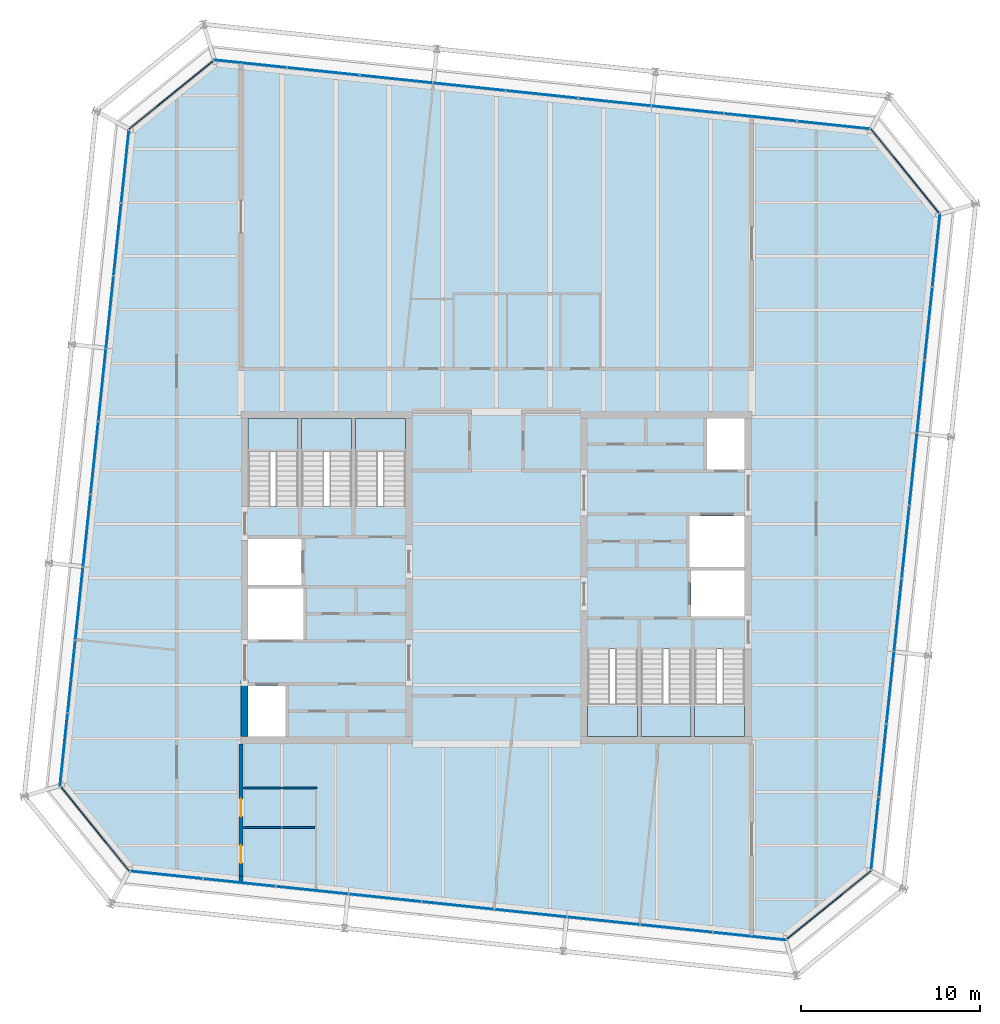
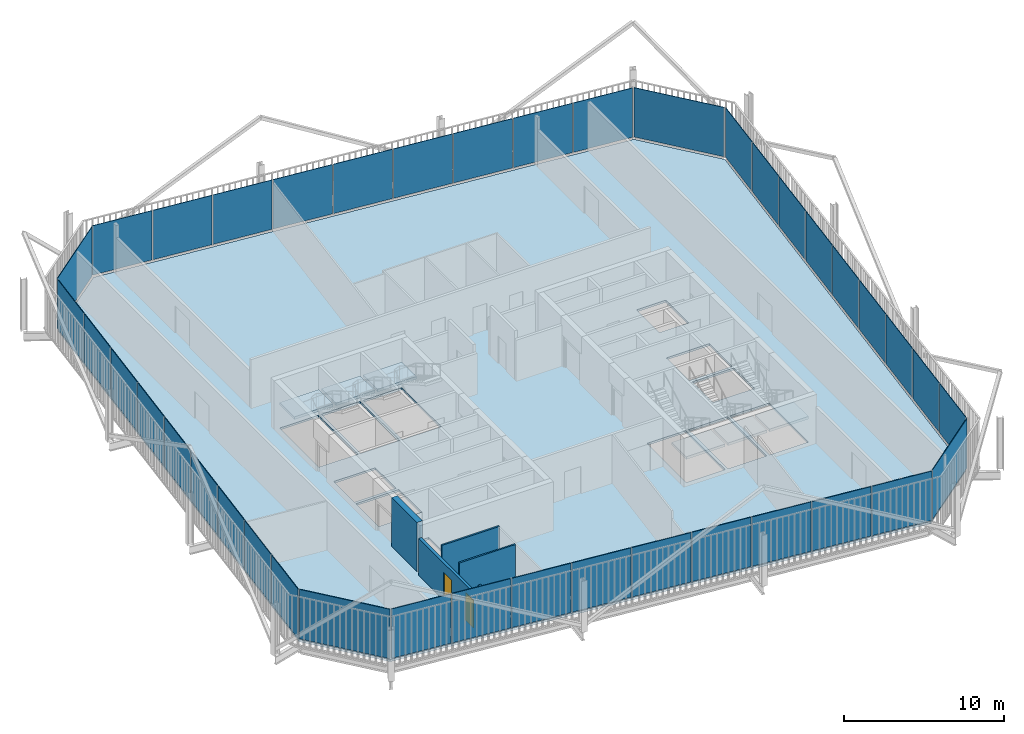
# One storey, part 16 of 21: 40 plates, 7 slabs, 5 walls, 2 doors, 2 openings, 14 elements without a shape of their own.
"""IFC4 building model written with IfcOpenShell, lengths in metres."""

from ifc_helpers import new_model, si_unit, direction, frame, frame_2d, origin, place, context, subcontext, project, spatial, polyline, rectangle, outline, extrude, material, layer, layer_set, type_object, element, fill, aggregate, save


model = new_model("IFC4")

# Units and contexts
model_context = context("Model", 3, precision=1e-05, world=origin(), true_north=direction((0.0, 1.0)))
body_context = subcontext(model_context, "Body", "Model", "MODEL_VIEW")
ifc_project = project(units=[si_unit("LENGTHUNIT", "METRE"), si_unit("AREAUNIT", "SQUARE_METRE"), si_unit("VOLUMEUNIT", "CUBIC_METRE"), si_unit("PLANEANGLEUNIT", "RADIAN"), si_unit("MASSUNIT", "GRAM", prefix="KILO")], contexts=[model_context])

# Site, building, storey
site_placement = place(None, origin())
site = spatial("IfcSite", under=ifc_project, at=site_placement, CompositionType="ELEMENT")
building_placement = place(site_placement, origin())
building = spatial("IfcBuilding", under=site, at=building_placement, Name="Millrace Tower", CompositionType="ELEMENT")
storey_placement = place(building_placement, frame((0.0, 0.0, 326.5)))
storey = spatial("IfcBuildingStorey", under=building, at=storey_placement, Name="L75", CompositionType="ELEMENT", Elevation=326.5)

# Curtain wall, plate
ifc_material_1 = material(Name="Aluminium and glass", Category="aluminium")
ifc_layer_1 = layer(ifc_material_1, 0.14990234375)
ifc_layer_set_1 = layer_set([ifc_layer_1], Name="Aluminium and glass")
curtain_wall_type = type_object("IfcCurtainWallType", Name="CW-1 office vision curtain wall", PredefinedType="NOTDEFINED", material=ifc_layer_set_1)
placement_1 = place(storey_placement, origin())
curtain_wall_1 = element("IfcCurtainWall", 1, at=placement_1, inside=storey, type_object=curtain_wall_type, Name="Curtain wall E-F01 L75", PredefinedType="NOTDEFINED")
ifc_material_2 = material(Name="Glass", Category="glass")
ifc_layer_2 = layer(ifc_material_2, 0.0439453125)
ifc_layer_set_2 = layer_set([ifc_layer_2], Name="Glass")
plate_type = type_object("IfcPlateType", Name="CW-1 office vision curtain wall triple-glazed vision panel", PredefinedType="CURTAIN_PANEL", material=ifc_layer_set_2)
placement_2 = place(storey_placement, frame((0.0, 0.0, 0.139892578125)))
plate_1 = element("IfcPlate", 2, at=placement_2, type_object=plate_type, Name="CW1 panel E-F01.1", PredefinedType="CURTAIN_PANEL", context=body_context, shape_type="SweptSolid", body=[
    extrude(outline(polyline([(-24.388427734375, -11.732421875), (-20.5771484375, -16.439208984375), (-20.554443359375, -16.397216796875), (-24.354248046875, -11.704833984375), (-24.388427734375, -11.732421875)])), origin(), (0.0, 0.0, 1.0), 3.760009765625),
])
aggregate(curtain_wall_1, [plate_1])

# Curtain wall, plates
curtain_wall_2 = element("IfcCurtainWall", 3, at=placement_1, inside=storey, type_object=curtain_wall_type, Name="Curtain wall E-F02 L75", PredefinedType="NOTDEFINED")
plate_2 = element("IfcPlate", 4, at=placement_2, type_object=plate_type, Name="CW1 panel E-F02.1", PredefinedType="CURTAIN_PANEL", context=body_context, shape_type="SweptSolid", body=[
    extrude(outline(polyline([(-20.472412109375, -16.4501953125), (-16.45947265625, -16.871826171875), (-16.454833984375, -16.828125), (-20.4677734375, -16.40625), (-20.472412109375, -16.4501953125)])), origin(), (0.0, 0.0, 1.0), 3.760009765625),
])
plate_3 = element("IfcPlate", 5, at=placement_2, type_object=plate_type, Name="CW1 panel E-F02.2", PredefinedType="CURTAIN_PANEL", context=body_context, shape_type="SweptSolid", body=[
    extrude(outline(polyline([(-16.39501953125, -16.878662109375), (-12.382080078125, -17.300537109375), (-12.37744140625, -17.256591796875), (-16.390380859375, -16.8349609375), (-16.39501953125, -16.878662109375)])), origin(), (0.0, 0.0, 1.0), 3.760009765625),
])
plate_4 = element("IfcPlate", 6, at=placement_2, type_object=plate_type, Name="CW1 panel E-F02.3", PredefinedType="CURTAIN_PANEL", context=body_context, shape_type="SweptSolid", body=[
    extrude(outline(polyline([(-12.3173828125, -17.30712890625), (-8.304443359375, -17.72900390625), (-8.2998046875, -17.685302734375), (-12.312744140625, -17.263427734375), (-12.3173828125, -17.30712890625)])), origin(), (0.0, 0.0, 1.0), 3.760009765625),
])
plate_5 = element("IfcPlate", 7, at=placement_2, type_object=plate_type, Name="CW1 panel E-F02.4", PredefinedType="CURTAIN_PANEL", context=body_context, shape_type="SweptSolid", body=[
    extrude(outline(polyline([(-8.23974609375, -17.73583984375), (-4.22705078125, -18.157470703125), (-4.222412109375, -18.11376953125), (-8.235107421875, -17.692138671875), (-8.23974609375, -17.73583984375)])), origin(), (0.0, 0.0, 1.0), 3.760009765625),
])
plate_6 = element("IfcPlate", 8, at=placement_2, type_object=plate_type, Name="CW1 panel E-F02.5", PredefinedType="CURTAIN_PANEL", context=body_context, shape_type="SweptSolid", body=[
    extrude(outline(polyline([(-4.162353515625, -18.164306640625), (-0.1494140625, -18.586181640625), (-0.144775390625, -18.54248046875), (-4.15771484375, -18.12060546875), (-4.162353515625, -18.164306640625)])), origin(), (0.0, 0.0, 1.0), 3.760009765625),
])
plate_7 = element("IfcPlate", 9, at=placement_2, type_object=plate_type, Name="CW1 panel E-F02.6", PredefinedType="CURTAIN_PANEL", context=body_context, shape_type="SweptSolid", body=[
    extrude(outline(polyline([(-0.084716796875, -18.593017578125), (3.92822265625, -19.0146484375), (3.932861328125, -18.970947265625), (-0.080078125, -18.549072265625), (-0.084716796875, -18.593017578125)])), origin(), (0.0, 0.0, 1.0), 3.760009765625),
])
plate_8 = element("IfcPlate", 10, at=placement_2, type_object=plate_type, Name="CW1 panel E-F02.7", PredefinedType="CURTAIN_PANEL", context=body_context, shape_type="SweptSolid", body=[
    extrude(outline(polyline([(3.99267578125, -19.021484375), (8.005615234375, -19.443359375), (8.01025390625, -19.3994140625), (3.997314453125, -18.977783203125), (3.99267578125, -19.021484375)])), origin(), (0.0, 0.0, 1.0), 3.760009765625),
])
plate_9 = element("IfcPlate", 11, at=placement_2, type_object=plate_type, Name="CW1 panel E-F02.8", PredefinedType="CURTAIN_PANEL", context=body_context, shape_type="SweptSolid", body=[
    extrude(outline(polyline([(8.0703125, -19.449951171875), (12.083251953125, -19.871826171875), (12.087890625, -19.828125), (8.074951171875, -19.40625), (8.0703125, -19.449951171875)])), origin(), (0.0, 0.0, 1.0), 3.760009765625),
])
plate_10 = element("IfcPlate", 12, at=placement_2, type_object=plate_type, Name="CW1 panel E-F02.9", PredefinedType="CURTAIN_PANEL", context=body_context, shape_type="SweptSolid", body=[
    extrude(outline(polyline([(12.14794921875, -19.878662109375), (16.20068359375, -20.3046875), (16.187255859375, -20.259033203125), (12.152587890625, -19.8349609375), (12.14794921875, -19.878662109375)])), origin(), (0.0, 0.0, 1.0), 3.760009765625),
])
aggregate(curtain_wall_2, [plate_2, plate_3, plate_4, plate_5, plate_6, plate_7, plate_8, plate_9, plate_10])

# Curtain wall, plate
curtain_wall_3 = element("IfcCurtainWall", 13, at=placement_1, inside=storey, type_object=curtain_wall_type, Name="Curtain wall E-F03 L75", PredefinedType="NOTDEFINED")
plate_11 = element("IfcPlate", 14, at=placement_2, type_object=plate_type, Name="CW1 panel E-F03.1", PredefinedType="CURTAIN_PANEL", context=body_context, shape_type="SweptSolid", body=[
    extrude(outline(polyline([(16.282470703125, -20.23828125), (20.989013671875, -16.427001953125), (20.947265625, -16.404296875), (16.2548828125, -20.2041015625), (16.282470703125, -20.23828125)])), origin(), (0.0, 0.0, 1.0), 3.760009765625),
])
aggregate(curtain_wall_3, [plate_11])

# Curtain wall, plates
curtain_wall_4 = element("IfcCurtainWall", 15, at=placement_1, inside=storey, type_object=curtain_wall_type, Name="Curtain wall E-F04 L75", PredefinedType="NOTDEFINED")
plate_12 = element("IfcPlate", 16, at=placement_2, type_object=plate_type, Name="CW1 panel E-F04.1", PredefinedType="CURTAIN_PANEL", context=body_context, shape_type="SweptSolid", body=[
    extrude(outline(polyline([(21.0, -16.322509765625), (21.421875, -12.3095703125), (21.378173828125, -12.304931640625), (20.956298828125, -16.31787109375), (21.0, -16.322509765625)])), origin(), (0.0, 0.0, 1.0), 3.760009765625),
])
plate_13 = element("IfcPlate", 17, at=placement_2, type_object=plate_type, Name="CW1 panel E-F04.2", PredefinedType="CURTAIN_PANEL", context=body_context, shape_type="SweptSolid", body=[
    extrude(outline(polyline([(21.4287109375, -12.244873046875), (21.850341796875, -8.23193359375), (21.806640625, -8.227294921875), (21.385009765625, -12.240234375), (21.4287109375, -12.244873046875)])), origin(), (0.0, 0.0, 1.0), 3.760009765625),
])
plate_14 = element("IfcPlate", 18, at=placement_2, type_object=plate_type, Name="CW1 panel E-F04.3", PredefinedType="CURTAIN_PANEL", context=body_context, shape_type="SweptSolid", body=[
    extrude(outline(polyline([(21.857177734375, -8.16748046875), (22.279052734375, -4.154541015625), (22.2353515625, -4.14990234375), (21.8134765625, -8.162841796875), (21.857177734375, -8.16748046875)])), origin(), (0.0, 0.0, 1.0), 3.760009765625),
])
plate_15 = element("IfcPlate", 19, at=placement_2, type_object=plate_type, Name="CW1 panel E-F04.4", PredefinedType="CURTAIN_PANEL", context=body_context, shape_type="SweptSolid", body=[
    extrude(outline(polyline([(22.285888671875, -4.08984375), (22.70751953125, -0.076904296875), (22.663818359375, -0.072265625), (22.241943359375, -4.085205078125), (22.285888671875, -4.08984375)])), origin(), (0.0, 0.0, 1.0), 3.760009765625),
])
plate_16 = element("IfcPlate", 20, at=placement_2, type_object=plate_type, Name="CW1 panel E-F04.5", PredefinedType="CURTAIN_PANEL", context=body_context, shape_type="SweptSolid", body=[
    extrude(outline(polyline([(22.71435546875, -0.01220703125), (23.13623046875, 4.00048828125), (23.09228515625, 4.005126953125), (22.670654296875, -0.007568359375), (22.71435546875, -0.01220703125)])), origin(), (0.0, 0.0, 1.0), 3.760009765625),
])
plate_17 = element("IfcPlate", 21, at=placement_2, type_object=plate_type, Name="CW1 panel E-F04.6", PredefinedType="CURTAIN_PANEL", context=body_context, shape_type="SweptSolid", body=[
    extrude(outline(polyline([(23.142822265625, 4.065185546875), (23.564697265625, 8.078125), (23.52099609375, 8.082763671875), (23.09912109375, 4.06982421875), (23.142822265625, 4.065185546875)])), origin(), (0.0, 0.0, 1.0), 3.760009765625),
])
plate_18 = element("IfcPlate", 22, at=placement_2, type_object=plate_type, Name="CW1 panel E-F04.7", PredefinedType="CURTAIN_PANEL", context=body_context, shape_type="SweptSolid", body=[
    extrude(outline(polyline([(23.571533203125, 8.142822265625), (23.9931640625, 12.15576171875), (23.949462890625, 12.160400390625), (23.52783203125, 8.1474609375), (23.571533203125, 8.142822265625)])), origin(), (0.0, 0.0, 1.0), 3.760009765625),
])
plate_19 = element("IfcPlate", 23, at=placement_2, type_object=plate_type, Name="CW1 panel E-F04.8", PredefinedType="CURTAIN_PANEL", context=body_context, shape_type="SweptSolid", body=[
    extrude(outline(polyline([(24.0, 12.22021484375), (24.421875, 16.233154296875), (24.378173828125, 16.23779296875), (23.956298828125, 12.224853515625), (24.0, 12.22021484375)])), origin(), (0.0, 0.0, 1.0), 3.760009765625),
])
plate_20 = element("IfcPlate", 24, at=placement_2, type_object=plate_type, Name="CW1 panel E-F04.9", PredefinedType="CURTAIN_PANEL", context=body_context, shape_type="SweptSolid", body=[
    extrude(outline(polyline([(24.4287109375, 16.2978515625), (24.8544921875, 20.350830078125), (24.808837890625, 20.337158203125), (24.384765625, 16.302490234375), (24.4287109375, 16.2978515625)])), origin(), (0.0, 0.0, 1.0), 3.760009765625),
])
aggregate(curtain_wall_4, [plate_12, plate_13, plate_14, plate_15, plate_16, plate_17, plate_18, plate_19, plate_20])

# Curtain wall, plate
curtain_wall_5 = element("IfcCurtainWall", 25, at=placement_1, inside=storey, type_object=curtain_wall_type, Name="Curtain wall E-F05 L75", PredefinedType="NOTDEFINED")
plate_21 = element("IfcPlate", 26, at=placement_2, type_object=plate_type, Name="CW1 panel E-F05.1", PredefinedType="CURTAIN_PANEL", context=body_context, shape_type="SweptSolid", body=[
    extrude(outline(polyline([(24.788330078125, 20.432373046875), (20.97705078125, 25.13916015625), (20.954345703125, 25.09716796875), (24.754150390625, 20.40478515625), (24.788330078125, 20.432373046875)])), origin(), (0.0, 0.0, 1.0), 3.760009765625),
])
aggregate(curtain_wall_5, [plate_21])

# Curtain wall, plates
curtain_wall_6 = element("IfcCurtainWall", 27, at=placement_1, inside=storey, type_object=curtain_wall_type, Name="Curtain wall E-F06 L75", PredefinedType="NOTDEFINED")
plate_22 = element("IfcPlate", 28, at=placement_2, type_object=plate_type, Name="CW1 panel E-F06.1", PredefinedType="CURTAIN_PANEL", context=body_context, shape_type="SweptSolid", body=[
    extrude(outline(polyline([(20.87255859375, 25.150146484375), (16.859619140625, 25.57177734375), (16.85498046875, 25.528076171875), (20.867919921875, 25.1064453125), (20.87255859375, 25.150146484375)])), origin(), (0.0, 0.0, 1.0), 3.760009765625),
])
plate_23 = element("IfcPlate", 29, at=placement_2, type_object=plate_type, Name="CW1 panel E-F06.2", PredefinedType="CURTAIN_PANEL", context=body_context, shape_type="SweptSolid", body=[
    extrude(outline(polyline([(16.794921875, 25.57861328125), (12.781982421875, 26.00048828125), (12.77734375, 25.956787109375), (16.790283203125, 25.534912109375), (16.794921875, 25.57861328125)])), origin(), (0.0, 0.0, 1.0), 3.760009765625),
])
plate_24 = element("IfcPlate", 30, at=placement_2, type_object=plate_type, Name="CW1 panel E-F06.3", PredefinedType="CURTAIN_PANEL", context=body_context, shape_type="SweptSolid", body=[
    extrude(outline(polyline([(12.71728515625, 26.00732421875), (8.70458984375, 26.428955078125), (8.699951171875, 26.38525390625), (12.712646484375, 25.96337890625), (12.71728515625, 26.00732421875)])), origin(), (0.0, 0.0, 1.0), 3.760009765625),
])
plate_25 = element("IfcPlate", 31, at=placement_2, type_object=plate_type, Name="CW1 panel E-F06.4", PredefinedType="CURTAIN_PANEL", context=body_context, shape_type="SweptSolid", body=[
    extrude(outline(polyline([(8.639892578125, 26.435791015625), (4.626953125, 26.857666015625), (4.622314453125, 26.813720703125), (8.63525390625, 26.39208984375), (8.639892578125, 26.435791015625)])), origin(), (0.0, 0.0, 1.0), 3.760009765625),
])
plate_26 = element("IfcPlate", 32, at=placement_2, type_object=plate_type, Name="CW1 panel E-F06.5", PredefinedType="CURTAIN_PANEL", context=body_context, shape_type="SweptSolid", body=[
    extrude(outline(polyline([(4.562255859375, 26.8642578125), (0.54931640625, 27.2861328125), (0.544677734375, 27.242431640625), (4.5576171875, 26.820556640625), (4.562255859375, 26.8642578125)])), origin(), (0.0, 0.0, 1.0), 3.760009765625),
])
plate_27 = element("IfcPlate", 33, at=placement_2, type_object=plate_type, Name="CW1 panel E-F06.6", PredefinedType="CURTAIN_PANEL", context=body_context, shape_type="SweptSolid", body=[
    extrude(outline(polyline([(0.48486328125, 27.29296875), (-3.528076171875, 27.714599609375), (-3.53271484375, 27.6708984375), (0.480224609375, 27.249267578125), (0.48486328125, 27.29296875)])), origin(), (0.0, 0.0, 1.0), 3.760009765625),
])
plate_28 = element("IfcPlate", 34, at=placement_2, type_object=plate_type, Name="CW1 panel E-F06.7", PredefinedType="CURTAIN_PANEL", context=body_context, shape_type="SweptSolid", body=[
    extrude(outline(polyline([(-3.5927734375, 27.721435546875), (-7.605712890625, 28.143310546875), (-7.6103515625, 28.099609375), (-3.597412109375, 27.677734375), (-3.5927734375, 27.721435546875)])), origin(), (0.0, 0.0, 1.0), 3.760009765625),
])
plate_29 = element("IfcPlate", 35, at=placement_2, type_object=plate_type, Name="CW1 panel E-F06.8", PredefinedType="CURTAIN_PANEL", context=body_context, shape_type="SweptSolid", body=[
    extrude(outline(polyline([(-7.67041015625, 28.150146484375), (-11.68310546875, 28.57177734375), (-11.687744140625, 28.528076171875), (-7.675048828125, 28.106201171875), (-7.67041015625, 28.150146484375)])), origin(), (0.0, 0.0, 1.0), 3.760009765625),
])
plate_30 = element("IfcPlate", 36, at=placement_2, type_object=plate_type, Name="CW1 panel E-F06.9", PredefinedType="CURTAIN_PANEL", context=body_context, shape_type="SweptSolid", body=[
    extrude(outline(polyline([(-11.747802734375, 28.57861328125), (-15.80078125, 29.004638671875), (-15.787109375, 28.958984375), (-11.75244140625, 28.534912109375), (-11.747802734375, 28.57861328125)])), origin(), (0.0, 0.0, 1.0), 3.760009765625),
])
aggregate(curtain_wall_6, [plate_22, plate_23, plate_24, plate_25, plate_26, plate_27, plate_28, plate_29, plate_30])

# Curtain wall, plate
curtain_wall_7 = element("IfcCurtainWall", 37, at=placement_1, inside=storey, type_object=curtain_wall_type, Name="Curtain wall E-F07 L75", PredefinedType="NOTDEFINED")
plate_31 = element("IfcPlate", 38, at=placement_2, type_object=plate_type, Name="CW1 panel E-F07.1", PredefinedType="CURTAIN_PANEL", context=body_context, shape_type="SweptSolid", body=[
    extrude(outline(polyline([(-15.882568359375, 28.9384765625), (-20.589111328125, 25.126953125), (-20.547119140625, 25.104248046875), (-15.854736328125, 28.904296875), (-15.882568359375, 28.9384765625)])), origin(), (0.0, 0.0, 1.0), 3.760009765625),
])
aggregate(curtain_wall_7, [plate_31])

# Curtain wall, plates
curtain_wall_8 = element("IfcCurtainWall", 39, at=placement_1, inside=storey, type_object=curtain_wall_type, Name="Curtain wall E-F08 L75", PredefinedType="NOTDEFINED")
plate_32 = element("IfcPlate", 40, at=placement_2, type_object=plate_type, Name="CW1 panel E-F08.1", PredefinedType="CURTAIN_PANEL", context=body_context, shape_type="SweptSolid", body=[
    extrude(outline(polyline([(-20.60009765625, 25.0224609375), (-21.02197265625, 21.009521484375), (-20.97802734375, 21.0048828125), (-20.556396484375, 25.017822265625), (-20.60009765625, 25.0224609375)])), origin(), (0.0, 0.0, 1.0), 3.760009765625),
])
plate_33 = element("IfcPlate", 41, at=placement_2, type_object=plate_type, Name="CW1 panel E-F08.2", PredefinedType="CURTAIN_PANEL", context=body_context, shape_type="SweptSolid", body=[
    extrude(outline(polyline([(-21.028564453125, 20.94482421875), (-21.450439453125, 16.93212890625), (-21.40673828125, 16.927490234375), (-20.98486328125, 20.9404296875), (-21.028564453125, 20.94482421875)])), origin(), (0.0, 0.0, 1.0), 3.760009765625),
])
plate_34 = element("IfcPlate", 42, at=placement_2, type_object=plate_type, Name="CW1 panel E-F08.3", PredefinedType="CURTAIN_PANEL", context=body_context, shape_type="SweptSolid", body=[
    extrude(outline(polyline([(-21.457275390625, 16.867431640625), (-21.87890625, 12.8544921875), (-21.835205078125, 12.849853515625), (-21.41357421875, 16.86279296875), (-21.457275390625, 16.867431640625)])), origin(), (0.0, 0.0, 1.0), 3.760009765625),
])
plate_35 = element("IfcPlate", 43, at=placement_2, type_object=plate_type, Name="CW1 panel E-F08.4", PredefinedType="CURTAIN_PANEL", context=body_context, shape_type="SweptSolid", body=[
    extrude(outline(polyline([(-21.8857421875, 12.789794921875), (-22.3076171875, 8.77685546875), (-22.263916015625, 8.772216796875), (-21.842041015625, 12.78515625), (-21.8857421875, 12.789794921875)])), origin(), (0.0, 0.0, 1.0), 3.760009765625),
])
plate_36 = element("IfcPlate", 44, at=placement_2, type_object=plate_type, Name="CW1 panel E-F08.5", PredefinedType="CURTAIN_PANEL", context=body_context, shape_type="SweptSolid", body=[
    extrude(outline(polyline([(-22.314453125, 8.71240234375), (-22.736083984375, 4.699462890625), (-22.6923828125, 4.69482421875), (-22.2705078125, 8.707763671875), (-22.314453125, 8.71240234375)])), origin(), (0.0, 0.0, 1.0), 3.760009765625),
])
plate_37 = element("IfcPlate", 45, at=placement_2, type_object=plate_type, Name="CW1 panel E-F08.6", PredefinedType="CURTAIN_PANEL", context=body_context, shape_type="SweptSolid", body=[
    extrude(outline(polyline([(-22.742919921875, 4.634765625), (-23.164794921875, 0.621826171875), (-23.120849609375, 0.6171875), (-22.69921875, 4.630126953125), (-22.742919921875, 4.634765625)])), origin(), (0.0, 0.0, 1.0), 3.760009765625),
])
plate_38 = element("IfcPlate", 46, at=placement_2, type_object=plate_type, Name="CW1 panel E-F08.7", PredefinedType="CURTAIN_PANEL", context=body_context, shape_type="SweptSolid", body=[
    extrude(outline(polyline([(-23.17138671875, 0.55712890625), (-23.59326171875, -3.45556640625), (-23.549560546875, -3.460205078125), (-23.127685546875, 0.552490234375), (-23.17138671875, 0.55712890625)])), origin(), (0.0, 0.0, 1.0), 3.760009765625),
])
plate_39 = element("IfcPlate", 47, at=placement_2, type_object=plate_type, Name="CW1 panel E-F08.8", PredefinedType="CURTAIN_PANEL", context=body_context, shape_type="SweptSolid", body=[
    extrude(outline(polyline([(-23.60009765625, -3.520263671875), (-24.021728515625, -7.533203125), (-23.97802734375, -7.537841796875), (-23.556396484375, -3.52490234375), (-23.60009765625, -3.520263671875)])), origin(), (0.0, 0.0, 1.0), 3.760009765625),
])
plate_40 = element("IfcPlate", 48, at=placement_2, type_object=plate_type, Name="CW1 panel E-F08.9", PredefinedType="CURTAIN_PANEL", context=body_context, shape_type="SweptSolid", body=[
    extrude(outline(polyline([(-24.028564453125, -7.597900390625), (-24.45458984375, -11.650634765625), (-24.408935546875, -11.63720703125), (-23.98486328125, -7.6025390625), (-24.028564453125, -7.597900390625)])), origin(), (0.0, 0.0, 1.0), 3.760009765625),
])
aggregate(curtain_wall_8, [plate_32, plate_33, plate_34, plate_35, plate_36, plate_37, plate_38, plate_39, plate_40])

# Slab
ifc_material_3 = material(Name="Concrete C35 on steel deck", Category="concrete")
ifc_layer_3 = layer(ifc_material_3, 0.159912109375)
ifc_layer_set_3 = layer_set([ifc_layer_3], Name="Concrete C35 on steel deck")
slab_type_1 = type_object("IfcSlabType", Name="Composite floor slab 160 mm", PredefinedType="FLOOR", material=ifc_layer_set_3)
slab_1_placement = place(storey_placement, frame((0.0, 0.0, -0.159912109375)))
element("IfcSlab", 49, at=slab_1_placement, inside=storey, type_object=slab_type_1, Name="SL-E-L75-S1", PredefinedType="FLOOR", context=body_context, shape_type="SweptSolid", body=[
    extrude(outline(polyline([(-24.35400390625, -11.620849609375), (-20.52685546875, -16.346923828125), (16.1708984375, -20.203857421875), (20.896728515625, -16.376953125), (24.75390625, 20.32080078125), (20.927001953125, 25.046875), (-15.77099609375, 28.90380859375), (-20.496826171875, 25.076904296875), (-24.35400390625, -11.620849609375)]), holes=[polyline([(-13.89990234375, -8.89990234375), (-11.800048828125, -8.89990234375), (-11.800048828125, -6.050048828125), (-13.89990234375, -6.050048828125), (-13.89990234375, -8.89990234375)]), polyline([(-13.89990234375, -3.449951171875), (-10.800048828125, -3.449951171875), (-10.800048828125, -0.60009765625), (-13.89990234375, -0.60009765625), (-13.89990234375, -3.449951171875)]), polyline([(-13.89990234375, -0.39990234375), (-10.89990234375, -0.39990234375), (-10.89990234375, 2.179931640625), (-13.89990234375, 2.179931640625), (-13.89990234375, -0.39990234375)]), polyline([(-13.89990234375, 4.0), (-11.10009765625, 4.0), (-11.10009765625, 8.89990234375), (-13.89990234375, 8.89990234375), (-13.89990234375, 4.0)]), polyline([(-10.89990234375, 4.0), (-8.10009765625, 4.0), (-8.10009765625, 8.89990234375), (-10.89990234375, 8.89990234375), (-10.89990234375, 4.0)]), polyline([(-7.89990234375, 4.0), (-5.10009765625, 4.0), (-5.10009765625, 8.89990234375), (-7.89990234375, 8.89990234375), (-7.89990234375, 4.0)]), polyline([(11.800048828125, 6.050048828125), (13.89990234375, 6.050048828125), (13.89990234375, 8.89990234375), (11.800048828125, 8.89990234375), (11.800048828125, 6.050048828125)]), polyline([(10.800048828125, 0.60009765625), (13.89990234375, 0.60009765625), (13.89990234375, 3.449951171875), (10.800048828125, 3.449951171875), (10.800048828125, 0.60009765625)]), polyline([(10.89990234375, -2.179931640625), (13.89990234375, -2.179931640625), (13.89990234375, 0.39990234375), (10.89990234375, 0.39990234375), (10.89990234375, -2.179931640625)]), polyline([(11.10009765625, -8.89990234375), (13.89990234375, -8.89990234375), (13.89990234375, -4.0), (11.10009765625, -4.0), (11.10009765625, -8.89990234375)]), polyline([(8.10009765625, -8.89990234375), (10.89990234375, -8.89990234375), (10.89990234375, -4.0), (8.10009765625, -4.0), (8.10009765625, -8.89990234375)]), polyline([(5.10009765625, -8.89990234375), (7.89990234375, -8.89990234375), (7.89990234375, -4.0), (5.10009765625, -4.0), (5.10009765625, -8.89990234375)])]), origin(), (0.0, 0.0, 1.0), 0.159912109375),
])

# Stair, slab
ifc_material_4 = material(Name="Concrete C35", Category="concrete")
stair_type = type_object("IfcStairType", Name="Exit stair", PredefinedType="HALF_TURN_STAIR", material=ifc_material_4)
stair_1 = element("IfcStair", 50, at=placement_1, inside=storey, type_object=stair_type, Name="Stair 1 W L75", PredefinedType="HALF_TURN_STAIR")
ifc_material_5 = material(Name="Concrete C40", Category="concrete")
ifc_layer_4 = layer(ifc_material_5, 0.199951171875)
ifc_layer_set_4 = layer_set([ifc_layer_4], Name="Concrete C40")
slab_type_2 = type_object("IfcSlabType", Name="Stair landing", PredefinedType="LANDING", material=ifc_layer_set_4)
placement_3 = place(storey_placement, frame((0.0, 0.0, 1.75)))
slab_2 = element("IfcSlab", 51, at=placement_3, type_object=slab_type_2, Name="ST12 landing 1", PredefinedType="LANDING", context=body_context, shape_type="SweptSolid", body=[
    extrude(outline(polyline([(-13.89990234375, 7.080078125), (-11.10009765625, 7.080078125), (-11.10009765625, 8.89990234375), (-13.89990234375, 8.89990234375), (-13.89990234375, 7.080078125)])), origin(), (0.0, 0.0, 1.0), 0.199951171875),
])
aggregate(stair_1, [slab_2])

stair_2 = element("IfcStair", 52, at=placement_1, inside=storey, type_object=stair_type, Name="Stair 2 W L75", PredefinedType="HALF_TURN_STAIR")
slab_3 = element("IfcSlab", 53, at=placement_3, type_object=slab_type_2, Name="ST12 landing 1", PredefinedType="LANDING", context=body_context, shape_type="SweptSolid", body=[
    extrude(outline(polyline([(-10.89990234375, 7.080078125), (-8.10009765625, 7.080078125), (-8.10009765625, 8.89990234375), (-10.89990234375, 8.89990234375), (-10.89990234375, 7.080078125)])), origin(), (0.0, 0.0, 1.0), 0.199951171875),
])
aggregate(stair_2, [slab_3])

stair_3 = element("IfcStair", 54, at=placement_1, inside=storey, type_object=stair_type, Name="Stair 3 W L75", PredefinedType="HALF_TURN_STAIR")
slab_4 = element("IfcSlab", 55, at=placement_3, type_object=slab_type_2, Name="ST12 landing 1", PredefinedType="LANDING", context=body_context, shape_type="SweptSolid", body=[
    extrude(outline(polyline([(-7.89990234375, 7.080078125), (-5.10009765625, 7.080078125), (-5.10009765625, 8.89990234375), (-7.89990234375, 8.89990234375), (-7.89990234375, 7.080078125)])), origin(), (0.0, 0.0, 1.0), 0.199951171875),
])
aggregate(stair_3, [slab_4])

stair_4 = element("IfcStair", 56, at=placement_1, inside=storey, type_object=stair_type, Name="Stair 1 E L75", PredefinedType="HALF_TURN_STAIR")
slab_5 = element("IfcSlab", 57, at=placement_3, type_object=slab_type_2, Name="ST12 landing 1", PredefinedType="LANDING", context=body_context, shape_type="SweptSolid", body=[
    extrude(outline(polyline([(11.10009765625, -8.89990234375), (13.89990234375, -8.89990234375), (13.89990234375, -7.080078125), (11.10009765625, -7.080078125), (11.10009765625, -8.89990234375)])), origin(), (0.0, 0.0, 1.0), 0.199951171875),
])
aggregate(stair_4, [slab_5])

stair_5 = element("IfcStair", 58, at=placement_1, inside=storey, type_object=stair_type, Name="Stair 2 E L75", PredefinedType="HALF_TURN_STAIR")
slab_6 = element("IfcSlab", 59, at=placement_3, type_object=slab_type_2, Name="ST12 landing 1", PredefinedType="LANDING", context=body_context, shape_type="SweptSolid", body=[
    extrude(outline(polyline([(8.10009765625, -8.89990234375), (10.89990234375, -8.89990234375), (10.89990234375, -7.080078125), (8.10009765625, -7.080078125), (8.10009765625, -8.89990234375)])), origin(), (0.0, 0.0, 1.0), 0.199951171875),
])
aggregate(stair_5, [slab_6])

stair_6 = element("IfcStair", 60, at=placement_1, inside=storey, type_object=stair_type, Name="Stair 3 E L75", PredefinedType="HALF_TURN_STAIR")
slab_7 = element("IfcSlab", 61, at=placement_3, type_object=slab_type_2, Name="ST12 landing 1", PredefinedType="LANDING", context=body_context, shape_type="SweptSolid", body=[
    extrude(outline(polyline([(5.10009765625, -8.89990234375), (7.89990234375, -8.89990234375), (7.89990234375, -7.080078125), (5.10009765625, -7.080078125), (5.10009765625, -8.89990234375)])), origin(), (0.0, 0.0, 1.0), 0.199951171875),
])
aggregate(stair_6, [slab_7])

# Walls
ifc_material_6 = material(Name="Concrete C60", Category="concrete")
ifc_layer_5 = layer(ifc_material_6, 0.39990234375)
ifc_layer_set_5 = layer_set([ifc_layer_5], Name="Concrete C60")
wall_type_1 = type_object("IfcWallType", Name="Core wall 400 Concrete C60", PredefinedType="SHEAR", material=ifc_layer_set_5)
wall_1_placement = place(storey_placement, frame((-14.10009765625, -8.89990234375, 0.0), z_axis=(0.0, 0.0, 1.0), x_axis=(0.0, 1.0, 0.0)))
element("IfcWall", 62, at=wall_1_placement, inside=storey, type_object=wall_type_1, Name="Core wall W L75", PredefinedType="SHEAR", context=body_context, shape_type="SweptSolid", body=[
    extrude(rectangle(XDim=3.14990234375, YDim=0.39990234375, at=frame_2d((1.574951171875, 0.0))), origin(), (0.0, 0.0, 1.0), 3.739990234375),
])
ifc_material_7 = material(Name="Masonry partition, fire-rated", Category="masonry")
ifc_layer_6 = layer(ifc_material_7, 0.199951171875)
ifc_layer_set_6 = layer_set([ifc_layer_6], Name="Masonry partition, fire-rated")
wall_type_2 = type_object("IfcWallType", Name="Corridor wall 200", PredefinedType="PARTITIONING", material=ifc_layer_set_6)
wall_2_placement = place(storey_placement, frame((-14.300048828125, -17.031494140625, 0.0), z_axis=(0.0, 0.0, 1.0), x_axis=(0.0, 1.0, 0.0)))
element("IfcWall", 63, at=wall_2_placement, inside=storey, type_object=wall_type_2, Name="Corridor wall L75", PredefinedType="PARTITIONING", context=body_context, shape_type="SweptSolid", body=[
    extrude(rectangle(XDim=0.339111328125, YDim=0.199951171875, at=frame_2d((0.16943359375, 0.0))), origin(), (0.0, 0.0, 1.0), 3.739990234375),
])

# Wall, openings, doors
wall_3_placement = place(storey_placement, frame((-14.300048828125, -16.6923828125, 0.0), z_axis=(0.0, 0.0, 1.0), x_axis=(0.0, 1.0, 0.0)))
wall_3 = element("IfcWall", 64, at=wall_3_placement, inside=storey, type_object=wall_type_2, Name="Corridor wall L75", PredefinedType="PARTITIONING", context=body_context, shape_type="SweptSolid", body=[
    extrude(rectangle(XDim=7.392333984375, YDim=0.199951171875, at=frame_2d((3.6962890625, 0.0))), origin(), (0.0, 0.0, 1.0), 2.81298828125),
])
opening_1_placement = place(wall_3_placement, frame((0.711181640625, 0.0, 0.0)))
opening_1 = element("IfcOpeningElement", 65, at=opening_1_placement, cuts=wall_3, Name="Opening 75-P009", PredefinedType="OPENING", context=body_context, shape_type="SweptSolid", body=[
    extrude(rectangle(XDim=1.0, YDim=2.10009765625, at=frame_2d((0.5, 1.050048828125))), frame((0.0, 0.10986328125, 0.0), z_axis=(0.0, -1.0, 0.0), x_axis=(1.0, 0.0, 0.0)), (0.0, 0.0, 1.0), 0.219970703125),
])
opening_2_placement = place(wall_3_placement, frame((3.311279296875, 0.0, 0.0)))
opening_2 = element("IfcOpeningElement", 66, at=opening_2_placement, cuts=wall_3, Name="Opening 75-P010", PredefinedType="OPENING", context=body_context, shape_type="SweptSolid", body=[
    extrude(rectangle(XDim=1.0, YDim=2.10009765625, at=frame_2d((0.5, 1.050048828125))), frame((0.0, 0.10986328125, 0.0), z_axis=(0.0, -1.0, 0.0), x_axis=(1.0, 0.0, 0.0)), (0.0, 0.0, 1.0), 0.219970703125),
])
ifc_material_8 = material(Name="Steel door set, fire-rated", Category="steel")
door_type = type_object("IfcDoorType", Name="Corridor door 1000 x 2100", OperationType="SINGLE_SWING_LEFT", PredefinedType="DOOR", material=ifc_material_8)
door_1_placement = place(opening_1_placement, frame((1.0, 0.0, 0.0), z_axis=(0.0, 0.0, 1.0), x_axis=(-1.0, 0.0, 0.0)))
door_1 = element("IfcDoor", 67, at=door_1_placement, inside=storey, type_object=door_type, Name="Door 75-P009", OperationType="SINGLE_SWING_RIGHT", OverallHeight=2.10009765625, OverallWidth=1.0, PredefinedType="DOOR", context=body_context, shape_type="SweptSolid", body=[
    extrude(rectangle(XDim=1.0, YDim=2.10009765625, at=frame_2d((0.5, 1.050048828125))), frame((0.0, 0.02490234375, 0.0), z_axis=(0.0, -1.0, 0.0), x_axis=(1.0, 0.0, 0.0)), (0.0, 0.0, 1.0), 0.050048828125),
])
fill(opening_1, door_1)
door_2_placement = place(opening_2_placement, frame((1.0, 0.0, 0.0), z_axis=(0.0, 0.0, 1.0), x_axis=(-1.0, 0.0, 0.0)))
door_2 = element("IfcDoor", 68, at=door_2_placement, inside=storey, type_object=door_type, Name="Door 75-P010", OperationType="SINGLE_SWING_LEFT", OverallHeight=2.10009765625, OverallWidth=1.0, PredefinedType="DOOR", context=body_context, shape_type="SweptSolid", body=[
    extrude(rectangle(XDim=1.0, YDim=2.10009765625, at=frame_2d((0.5, 1.050048828125))), frame((0.0, 0.02490234375, 0.0), z_axis=(0.0, -1.0, 0.0), x_axis=(1.0, 0.0, 0.0)), (0.0, 0.0, 1.0), 0.050048828125),
])
fill(opening_2, door_2)

# Walls
ifc_material_9 = material(Name="Gypsum board partition")
ifc_layer_7 = layer(ifc_material_9, 0.1201171875)
ifc_layer_set_7 = layer_set([ifc_layer_7], Name="Gypsum board partition")
wall_type_3 = type_object("IfcWallType", Name="Partition wall 120", PredefinedType="PARTITIONING", material=ifc_layer_set_7)
wall_4_placement = place(storey_placement, frame((-14.199951171875, -13.98095703125, 0.0), z_axis=(0.0, 0.0, 1.0), x_axis=(1.0, 0.0, 0.0)))
element("IfcWall", 69, at=wall_4_placement, inside=storey, type_object=wall_type_3, Name="Partition wall L75", PredefinedType="PARTITIONING", context=body_context, shape_type="SweptSolid", body=[
    extrude(rectangle(XDim=4.0400390625, YDim=0.1201171875, at=frame_2d((2.02001953125, 0.0))), origin(), (0.0, 0.0, 1.0), 3.739990234375),
])
wall_5_placement = place(storey_placement, frame((-14.199951171875, -11.781005859375, 0.0), z_axis=(0.0, 0.0, 1.0), x_axis=(1.0, 0.0, 0.0)))
element("IfcWall", 70, at=wall_5_placement, inside=storey, type_object=wall_type_3, Name="Partition wall L75", PredefinedType="PARTITIONING", context=body_context, shape_type="SweptSolid", body=[
    extrude(rectangle(XDim=4.159912109375, YDim=0.1201171875, at=frame_2d((2.080078125, 0.0))), origin(), (0.0, 0.0, 1.0), 3.739990234375),
])

save(model, "model.ifc")
